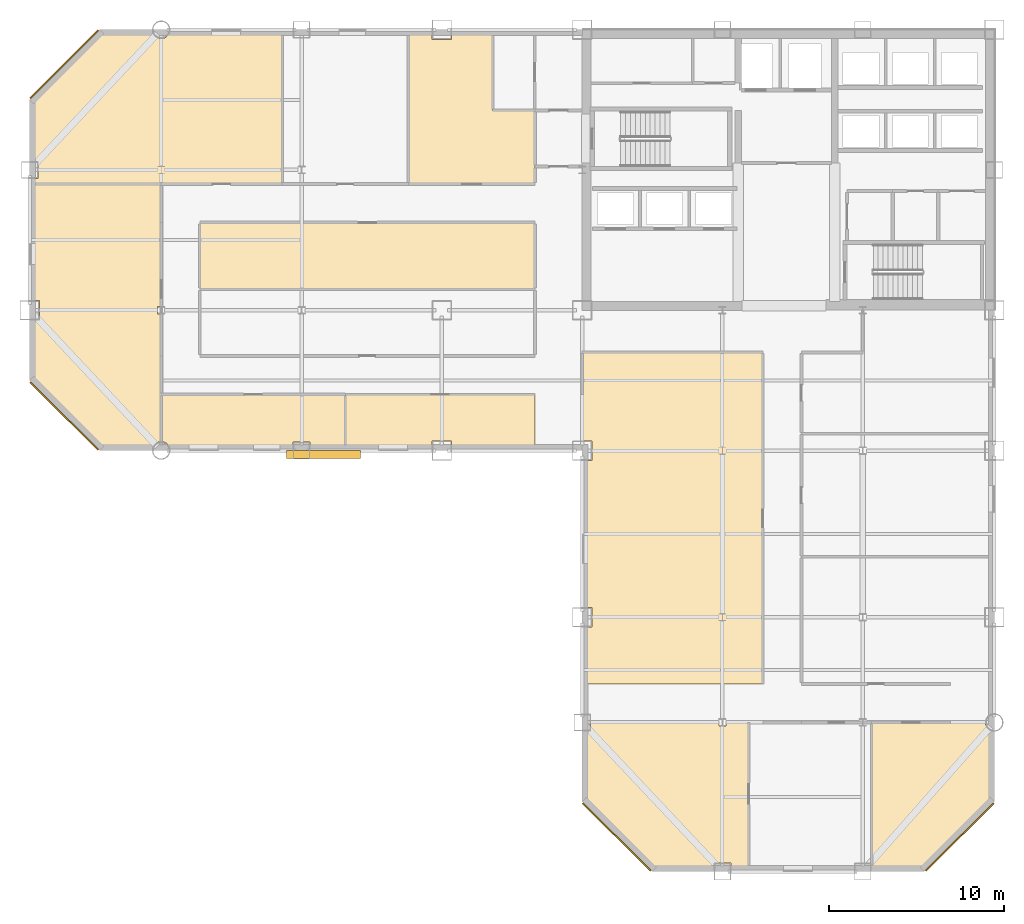
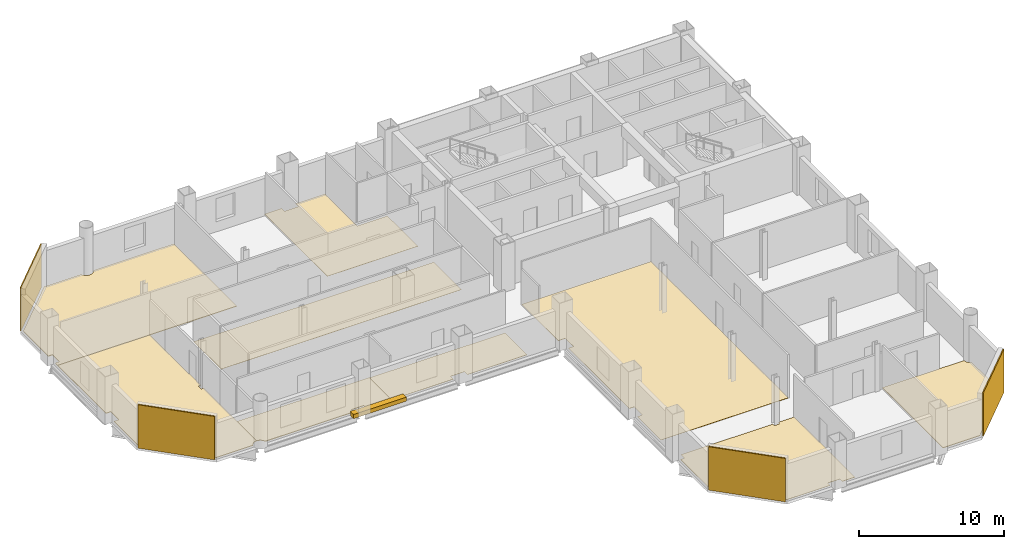
# One storey, part 9 of 10: 13 coverings, 1 shading device.
"""IFC4 building model written with IfcOpenShell, lengths in metres."""

from ifc_helpers import new_model, si_unit, direction, frame, origin, origin_2d, place, context, subcontext, project, spatial, polyline, rectangle, outline, extrude, material, layer, layer_set, type_object, element, save


model = new_model("IFC4")

# Units and contexts
model_context = context("Model", 3, precision=1e-05, world=origin(), true_north=direction((0.0, 1.0)))
body_context = subcontext(model_context, "Body", "Model", "MODEL_VIEW")
ifc_project = project(units=[si_unit("LENGTHUNIT", "METRE"), si_unit("AREAUNIT", "SQUARE_METRE"), si_unit("VOLUMEUNIT", "CUBIC_METRE"), si_unit("PLANEANGLEUNIT", "RADIAN"), si_unit("MASSUNIT", "GRAM", prefix="KILO")], contexts=[model_context])

# Site, building, storey
site_placement = place(None, origin())
site = spatial("IfcSite", under=ifc_project, at=site_placement, CompositionType="ELEMENT")
building_placement = place(site_placement, origin())
building = spatial("IfcBuilding", under=site, at=building_placement, Name="Qianrong Seaharbour Tower", CompositionType="ELEMENT")
storey_placement = place(building_placement, frame((0.0, 0.0, 191.0)))
storey = spatial("IfcBuildingStorey", under=building, at=storey_placement, Name="L46", CompositionType="ELEMENT", Elevation=191.0)

# Coverings
ifc_material_1 = material(Name="Unitised red brick cladding on Precast concrete C45/55", Category="masonry")
ifc_layer_1 = layer(ifc_material_1, 0.080078125)
ifc_layer_set_1 = layer_set([ifc_layer_1], Name="Unitised red brick cladding on Precast concrete C45/55")
covering_type_1 = type_object("IfcCoveringType", Name="COV-CLAD-RED-BRICK-80", PredefinedType="CLADDING", material=ifc_layer_set_1)
for number, where, z_axis, x_axis, name in (
    (1, (10.9716796875, 29.9716796875, 0.0), (0.0, 0.0, 1.0), (-0.707106781187, 0.707106781187, 0.0), "L46 Chamfer Corner Brick Cladding 02"),
    (2, (10.9716796875, 50.0283203125, 0.0), (0.0, 0.0, 1.0), (0.707106781187, 0.707106781187, 0.0), "L46 Chamfer Corner Brick Cladding 04"),
    (3, (62.0283203125, 5.9716796875, 0.0), (0.0, 0.0, 1.0), (-0.707106781187, -0.707106781187, 0.0), "L46 Chamfer Corner Brick Cladding 07"),
    (4, (42.4716796875, 5.9716796875, 0.0), (0.0, 0.0, 1.0), (-0.707106781187, 0.707106781187, 0.0), "L46 Chamfer Corner Brick Cladding 09"),
):
    element("IfcCovering", number, at=place(storey_placement, frame(where, z_axis=z_axis, x_axis=x_axis)), inside=storey, type_object=covering_type_1, Name=name, PredefinedType="CLADDING", context=body_context, shape_type="SweptSolid", body=[
        extrude(rectangle(XDim=5.456787109375, YDim=0.080078125, at=origin_2d()), origin(), (0.0, 0.0, 1.0), 3.64990234375),
    ])
ifc_material_2 = material(Name="Acoustic modular carpet tile flooring")
ifc_layer_2 = layer(ifc_material_2, 0.02001953125)
ifc_layer_set_2 = layer_set([ifc_layer_2], Name="Acoustic modular carpet tile flooring")
covering_type_2 = type_object("IfcCoveringType", Name="COV-FLOOR-CARPET-20", PredefinedType="FLOORING", material=ifc_layer_set_2)
covering_1_placement = place(storey_placement, origin())
element("IfcCovering", 5, at=covering_1_placement, inside=storey, type_object=covering_type_2, Name="L46 Boardroom 2 Finish Flooring", PredefinedType="FLOORING", context=body_context, shape_type="SweptSolid", body=[
    extrude(outline(polyline([(30.60009765625, 51.8349609375), (31.93994140625, 51.8349609375), (31.93994140625, 51.43994140625), (33.06005859375, 51.43994140625), (33.06005859375, 51.8349609375), (35.39990234375, 51.8349609375), (35.39990234375, 47.39990234375), (37.800048828125, 47.39990234375), (37.800048828125, 43.199951171875), (30.60009765625, 43.199951171875), (30.60009765625, 51.8349609375)])), origin(), (0.0, 0.0, 1.0), 0.02001953125),
])
covering_2_placement = place(storey_placement, origin())
element("IfcCovering", 6, at=covering_2_placement, inside=storey, type_object=covering_type_2, Name="L46 Arbitration Hearing Hall 2 Finish Flooring", PredefinedType="FLOORING", context=body_context, shape_type="SweptSolid", body=[
    extrude(outline(polyline([(37.800048828125, 41.0), (37.800048828125, 37.199951171875), (18.699951171875, 37.199951171875), (18.699951171875, 41.0), (37.800048828125, 41.0)])), origin(), (0.0, 0.0, 1.0), 0.02001953125),
])
covering_3_placement = place(storey_placement, origin())
element("IfcCovering", 7, at=covering_3_placement, inside=storey, type_object=covering_type_2, Name="L46 Wet Pantry 2 Finish Flooring", PredefinedType="FLOORING", context=body_context, shape_type="SweptSolid", body=[
    extrude(outline(polyline([(37.800048828125, 28.1650390625), (33.06005859375, 28.1650390625), (33.06005859375, 28.56005859375), (31.93994140625, 28.56005859375), (31.93994140625, 28.1650390625), (27.0, 28.1650390625), (27.0, 31.199951171875), (37.800048828125, 31.199951171875), (37.800048828125, 28.1650390625)])), origin(), (0.0, 0.0, 1.0), 0.02001953125),
])
covering_4_placement = place(storey_placement, origin())
element("IfcCovering", 8, at=covering_4_placement, inside=storey, type_object=covering_type_2, Name="L46 Wet Pantry Finish Flooring", PredefinedType="FLOORING", context=body_context, shape_type="SweptSolid", body=[
    extrude(outline(polyline([(50.800048828125, 14.699951171875), (40.6650390625, 14.699951171875), (40.6650390625, 17.93994140625), (41.06005859375, 17.93994140625), (41.06005859375, 19.06005859375), (40.6650390625, 19.06005859375), (40.6650390625, 27.43994140625), (41.06005859375, 27.43994140625), (41.06005859375, 28.56005859375), (40.5, 28.56005859375), (40.5, 33.60009765625), (50.800048828125, 33.60009765625), (50.800048828125, 14.699951171875)])), origin(), (0.0, 0.0, 1.0), 0.02001953125),
])
covering_5_placement = place(storey_placement, origin())
element("IfcCovering", 9, at=covering_5_placement, inside=storey, type_object=covering_type_2, Name="L46 Mediation Meeting Room 1 Finish Flooring", PredefinedType="FLOORING", context=body_context, shape_type="SweptSolid", body=[
    extrude(outline(polyline([(48.985107421875, 4.1650390625), (48.985107421875, 4.485107421875), (48.014892578125, 4.485107421875), (48.014892578125, 4.1650390625), (44.568359375, 4.1650390625), (40.6650390625, 8.068359375), (40.6650390625, 12.014892578125), (40.985107421875, 12.014892578125), (40.985107421875, 12.5), (48.2900390625, 12.5), (48.2900390625, 12.2900390625), (48.7099609375, 12.2900390625), (48.7099609375, 12.5), (50.0, 12.5), (50.0, 4.1650390625), (48.985107421875, 4.1650390625)])), origin(), (0.0, 0.0, 1.0), 0.02001953125),
])
ifc_material_3 = material(Name="Calcium-sulphate raised access floor tile")
ifc_layer_3 = layer(ifc_material_3, 0.044921875)
ifc_layer_set_3 = layer_set([ifc_layer_3], Name="Calcium-sulphate raised access floor tile")
covering_type_3 = type_object("IfcCoveringType", Name="COV-FLOOR-RAISED-45", PredefinedType="FLOORING", material=ifc_layer_set_3)
covering_6_placement = place(storey_placement, origin())
element("IfcCovering", 10, at=covering_6_placement, inside=storey, type_object=covering_type_3, Name="L46 Legal Support Open-Plan Office Finish Flooring", PredefinedType="FLOORING", context=body_context, shape_type="SweptSolid", body=[
    extrude(outline(polyline([(9.1650390625, 43.514892578125), (9.485107421875, 43.514892578125), (9.485107421875, 44.485107421875), (9.1650390625, 44.485107421875), (9.1650390625, 47.931640625), (13.068359375, 51.8349609375), (16.019775390625, 51.8349609375), (16.02880859375, 51.8046875), (16.075927734375, 51.716796875), (16.139404296875, 51.639404296875), (16.216796875, 51.575927734375), (16.3046875, 51.52880859375), (16.400390625, 51.499755859375), (16.5, 51.489990234375), (16.599609375, 51.499755859375), (16.6953125, 51.52880859375), (16.783203125, 51.575927734375), (16.860595703125, 51.639404296875), (16.924072265625, 51.716796875), (16.97119140625, 51.8046875), (16.980224609375, 51.8349609375), (23.39990234375, 51.8349609375), (23.39990234375, 43.199951171875), (9.1650390625, 43.199951171875), (9.1650390625, 43.514892578125)])), origin(), (0.0, 0.0, 1.0), 0.044921875),
])
covering_7_placement = place(storey_placement, origin())
element("IfcCovering", 11, at=covering_7_placement, inside=storey, type_object=covering_type_3, Name="L46 Registry Open-Plan Office Finish Flooring", PredefinedType="FLOORING", context=body_context, shape_type="SweptSolid", body=[
    extrude(outline(polyline([(13.068359375, 28.1650390625), (9.1650390625, 32.068359375), (9.1650390625, 35.43994140625), (9.56005859375, 35.43994140625), (9.56005859375, 36.56005859375), (9.1650390625, 36.56005859375), (9.1650390625, 43.199951171875), (16.5, 43.199951171875), (16.5, 36.2099609375), (16.2900390625, 36.2099609375), (16.2900390625, 35.7900390625), (16.5, 35.7900390625), (16.5, 28.510009765625), (16.400390625, 28.500244140625), (16.3046875, 28.47119140625), (16.216796875, 28.424072265625), (16.139404296875, 28.360595703125), (16.075927734375, 28.283203125), (16.02880859375, 28.1953125), (16.019775390625, 28.1650390625), (13.068359375, 28.1650390625)])), origin(), (0.0, 0.0, 1.0), 0.044921875),
])
covering_8_placement = place(storey_placement, origin())
element("IfcCovering", 12, at=covering_8_placement, inside=storey, type_object=covering_type_3, Name="L46 Partner Chambers Office 1 Finish Flooring", PredefinedType="FLOORING", context=body_context, shape_type="SweptSolid", body=[
    extrude(outline(polyline([(27.0, 28.1650390625), (24.985107421875, 28.1650390625), (24.985107421875, 28.485107421875), (24.014892578125, 28.485107421875), (24.014892578125, 28.1650390625), (16.980224609375, 28.1650390625), (16.97119140625, 28.1953125), (16.924072265625, 28.283203125), (16.860595703125, 28.360595703125), (16.783203125, 28.424072265625), (16.6953125, 28.47119140625), (16.599609375, 28.500244140625), (16.5, 28.510009765625), (16.5, 31.199951171875), (27.0, 31.199951171875), (27.0, 28.1650390625)])), origin(), (0.0, 0.0, 1.0), 0.044921875),
])
covering_9_placement = place(storey_placement, origin())
element("IfcCovering", 13, at=covering_9_placement, inside=storey, type_object=covering_type_3, Name="L46 Senior Partner Office 3 Finish Flooring", PredefinedType="FLOORING", context=body_context, shape_type="SweptSolid", body=[
    extrude(outline(polyline([(63.8349609375, 8.068359375), (59.931640625, 4.1650390625), (57.0, 4.1650390625), (57.0, 12.5), (63.489990234375, 12.5), (63.499755859375, 12.400390625), (63.52880859375, 12.3046875), (63.575927734375, 12.216796875), (63.639404296875, 12.139404296875), (63.716796875, 12.075927734375), (63.8046875, 12.02880859375), (63.8349609375, 12.019775390625), (63.8349609375, 8.068359375)])), origin(), (0.0, 0.0, 1.0), 0.044921875),
])

# Shading device
ifc_material_4 = material(Name="White architectural precast concrete C45/55", Category="concrete")
shading_device_type = type_object("IfcShadingDeviceType", Name="SHD-SUNSHADE-WHITE-320", PredefinedType="AWNING", material=ifc_material_4)
shading_device_placement = place(storey_placement, frame((25.75, 27.780029296875, -0.02001953125), z_axis=(0.0, 0.0, 1.0), x_axis=(1.0, 0.0, 0.0)))
element("IfcShadingDevice", 14, at=shading_device_placement, inside=storey, type_object=shading_device_type, Name="L46 Climbing White Precast Ribbon Canopy Fin", PredefinedType="AWNING", context=body_context, shape_type="SweptSolid", body=[
    extrude(rectangle(XDim=4.199951171875, YDim=0.4599609375, at=origin_2d()), origin(), (0.0, 0.0, 1.0), 0.340087890625),
])

save(model, "model.ifc")
